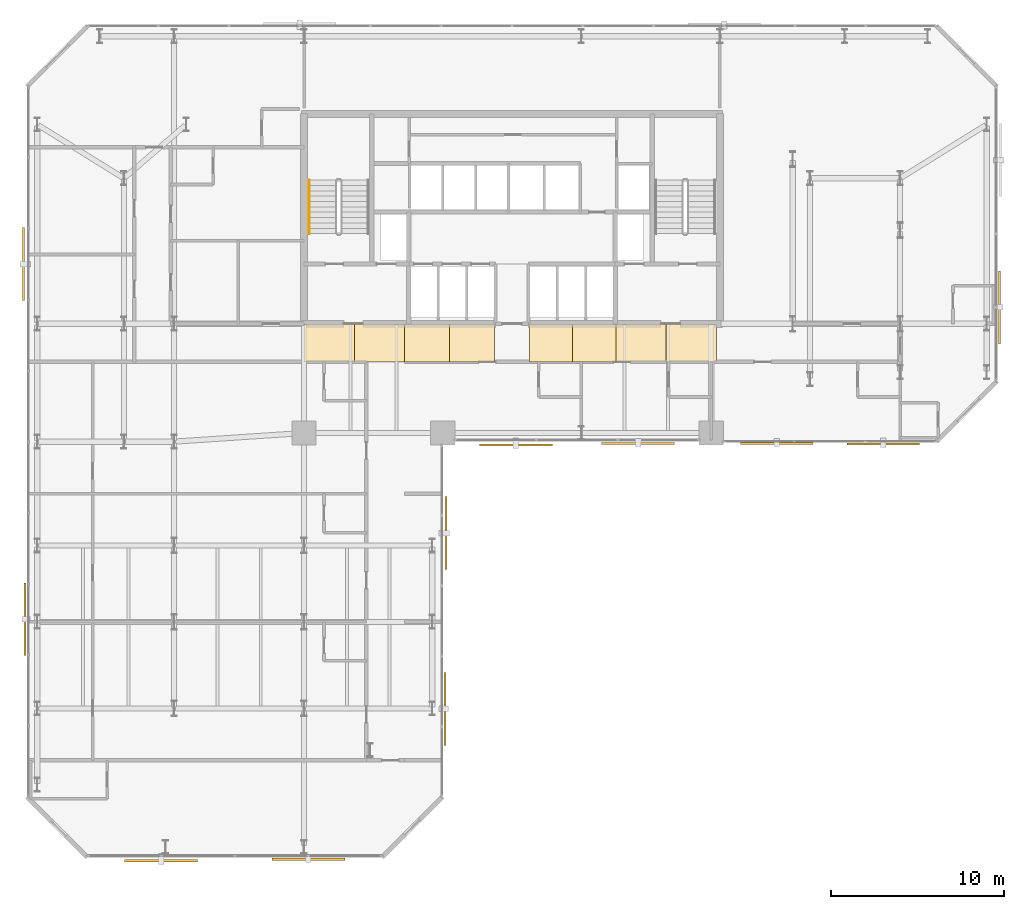
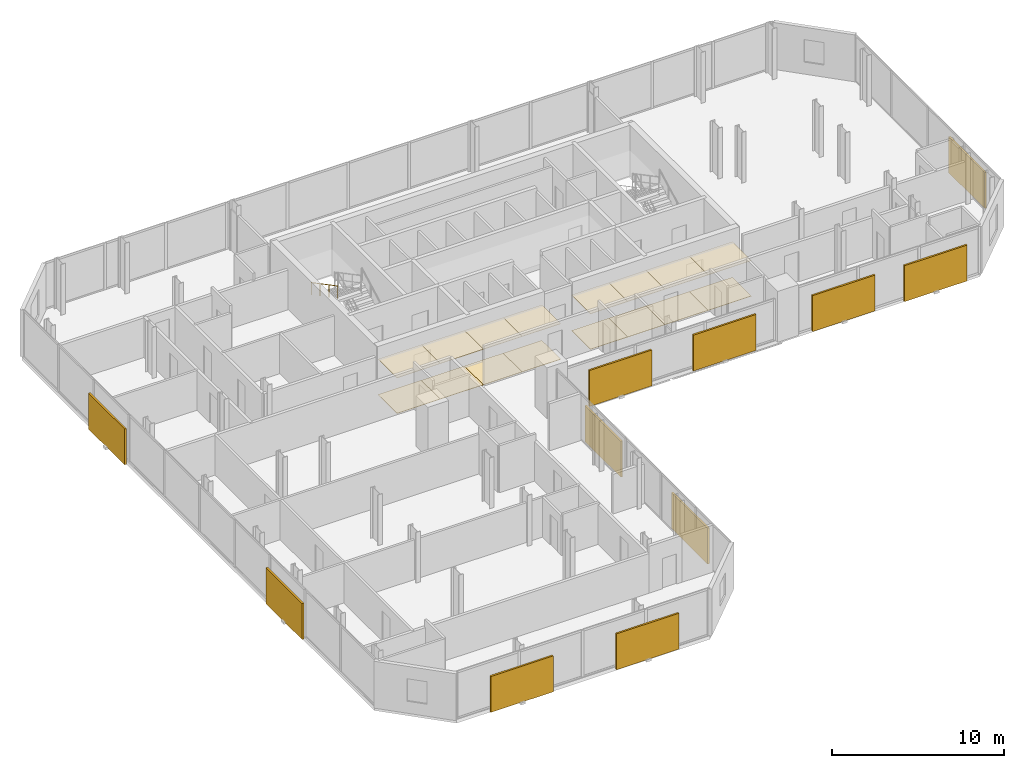
# One storey, part 32 of 33: 16 coverings, 11 shading devices, 1 railing.
"""IFC4 building model written with IfcOpenShell, lengths in metres."""

from ifc_helpers import new_model, si_unit, direction, frame, origin, origin_2d, place, context, subcontext, project, spatial, polyline, rectangle, circle, outline, extrude, material, layer, layer_set, type_object, element, save


model = new_model("IFC4")

# Units and contexts
model_context = context("Model", 3, precision=1e-05, world=origin(), true_north=direction((0.0, 1.0)))
body_context = subcontext(model_context, "Body", "Model", "MODEL_VIEW")
ifc_project = project(units=[si_unit("LENGTHUNIT", "METRE"), si_unit("AREAUNIT", "SQUARE_METRE"), si_unit("VOLUMEUNIT", "CUBIC_METRE"), si_unit("PLANEANGLEUNIT", "RADIAN"), si_unit("MASSUNIT", "GRAM", prefix="KILO")], contexts=[model_context])

# Site, building, storey
site_placement = place(None, origin())
site = spatial("IfcSite", under=ifc_project, at=site_placement, CompositionType="ELEMENT")
building_placement = place(site_placement, origin())
building = spatial("IfcBuilding", under=site, at=building_placement, Name="Catumbela Crestline Tower", CompositionType="ELEMENT")
storey_placement = place(building_placement, frame((0.0, 0.0, 47.4)))
storey = spatial("IfcBuildingStorey", under=building, at=storey_placement, Name="L11", CompositionType="ELEMENT", Elevation=47.4)

# Coverings
ifc_material_1 = material(Name="Mineral-fibre acoustic ceiling")
ifc_layer_1 = layer(ifc_material_1, 0.03, Name="Mineral-fibre acoustic ceiling")
ifc_layer_set_1 = layer_set([ifc_layer_1], Name="Mineral-fibre acoustic ceiling")
covering_type_1 = type_object("IfcCoveringType", Name="CC-AC", PredefinedType="CEILING", material=ifc_layer_set_1)
covering_1_placement = place(storey_placement, frame((0.0, 0.0, 2.52)))
element("IfcCovering", 1, at=covering_1_placement, inside=storey, type_object=covering_type_1, Name="L11 Corridor Acoustic Ceiling Bay 1", PredefinedType="CEILING", context=body_context, shape_type="SweptSolid", body=[
    extrude(outline(polyline([(16.0, 28.6), (18.9, 28.6), (18.9, 30.8), (16.0, 30.8), (16.0, 28.6)])), origin(), (0.0, 0.0, 1.0), 0.03),
])
covering_2_placement = place(storey_placement, frame((0.0, 0.0, 2.52)))
element("IfcCovering", 2, at=covering_2_placement, inside=storey, type_object=covering_type_1, Name="L11 Corridor Acoustic Ceiling Bay 2", PredefinedType="CEILING", context=body_context, shape_type="SweptSolid", body=[
    extrude(outline(polyline([(18.9, 28.6), (21.8, 28.6), (21.8, 30.8), (18.9, 30.8), (18.9, 28.6)])), origin(), (0.0, 0.0, 1.0), 0.03),
])
covering_3_placement = place(storey_placement, frame((0.0, 0.0, 2.52)))
element("IfcCovering", 3, at=covering_3_placement, inside=storey, type_object=covering_type_1, Name="L11 Corridor Acoustic Ceiling Bay 3", PredefinedType="CEILING", context=body_context, shape_type="SweptSolid", body=[
    extrude(outline(polyline([(21.8, 28.6), (24.4, 28.6), (24.4, 30.8), (21.8, 30.8), (21.8, 28.6)])), origin(), (0.0, 0.0, 1.0), 0.03),
])
covering_4_placement = place(storey_placement, frame((0.0, 0.0, 2.52)))
element("IfcCovering", 4, at=covering_4_placement, inside=storey, type_object=covering_type_1, Name="L11 Corridor Acoustic Ceiling Bay 4", PredefinedType="CEILING", context=body_context, shape_type="SweptSolid", body=[
    extrude(outline(polyline([(24.4, 28.6), (27.0, 28.6), (27.0, 30.8), (24.4, 30.8), (24.4, 28.6)])), origin(), (0.0, 0.0, 1.0), 0.03),
])
covering_5_placement = place(storey_placement, frame((0.0, 0.0, 2.52)))
element("IfcCovering", 5, at=covering_5_placement, inside=storey, type_object=covering_type_1, Name="L11 Corridor Acoustic Ceiling Bay 5", PredefinedType="CEILING", context=body_context, shape_type="SweptSolid", body=[
    extrude(outline(polyline([(29.0, 28.6), (31.5, 28.6), (31.5, 30.8), (29.0, 30.8), (29.0, 28.6)])), origin(), (0.0, 0.0, 1.0), 0.03),
])
covering_6_placement = place(storey_placement, frame((0.0, 0.0, 2.52)))
element("IfcCovering", 6, at=covering_6_placement, inside=storey, type_object=covering_type_1, Name="L11 Corridor Acoustic Ceiling Bay 6", PredefinedType="CEILING", context=body_context, shape_type="SweptSolid", body=[
    extrude(outline(polyline([(31.5, 28.6), (34.0, 28.6), (34.0, 30.8), (31.5, 30.8), (31.5, 28.6)])), origin(), (0.0, 0.0, 1.0), 0.03),
])
covering_7_placement = place(storey_placement, frame((0.0, 0.0, 2.52)))
element("IfcCovering", 7, at=covering_7_placement, inside=storey, type_object=covering_type_1, Name="L11 Corridor Acoustic Ceiling Bay 7", PredefinedType="CEILING", context=body_context, shape_type="SweptSolid", body=[
    extrude(outline(polyline([(34.0, 28.6), (36.9, 28.6), (36.9, 30.8), (34.0, 30.8), (34.0, 28.6)])), origin(), (0.0, 0.0, 1.0), 0.03),
])
covering_8_placement = place(storey_placement, frame((0.0, 0.0, 2.52)))
element("IfcCovering", 8, at=covering_8_placement, inside=storey, type_object=covering_type_1, Name="L11 Corridor Acoustic Ceiling Bay 8", PredefinedType="CEILING", context=body_context, shape_type="SweptSolid", body=[
    extrude(outline(polyline([(36.9, 28.6), (39.8, 28.6), (39.8, 30.8), (36.9, 30.8), (36.9, 28.6)])), origin(), (0.0, 0.0, 1.0), 0.03),
])
ifc_material_2 = material(Name="Angolan grey-ochre granite", Category="masonry")
ifc_layer_2 = layer(ifc_material_2, 0.025, Name="Angolan grey-ochre granite")
ifc_layer_set_2 = layer_set([ifc_layer_2], Name="Angolan grey-ochre granite")
covering_type_2 = type_object("IfcCoveringType", Name="CF-GR", PredefinedType="FLOORING", material=ifc_layer_set_2)
covering_9_placement = place(storey_placement, origin())
element("IfcCovering", 9, at=covering_9_placement, inside=storey, type_object=covering_type_2, Name="L11 Corridor Granite Flooring Bay 1", PredefinedType="FLOORING", context=body_context, shape_type="SweptSolid", body=[
    extrude(outline(polyline([(16.0, 28.6), (18.9, 28.6), (18.9, 30.8), (16.0, 30.8), (16.0, 28.6)])), origin(), (0.0, 0.0, 1.0), 0.025),
])
covering_10_placement = place(storey_placement, origin())
element("IfcCovering", 10, at=covering_10_placement, inside=storey, type_object=covering_type_2, Name="L11 Corridor Granite Flooring Bay 2", PredefinedType="FLOORING", context=body_context, shape_type="SweptSolid", body=[
    extrude(outline(polyline([(18.9, 28.6), (21.8, 28.6), (21.8, 30.8), (18.9, 30.8), (18.9, 28.6)])), origin(), (0.0, 0.0, 1.0), 0.025),
])
covering_11_placement = place(storey_placement, origin())
element("IfcCovering", 11, at=covering_11_placement, inside=storey, type_object=covering_type_2, Name="L11 Corridor Granite Flooring Bay 3", PredefinedType="FLOORING", context=body_context, shape_type="SweptSolid", body=[
    extrude(outline(polyline([(21.8, 28.6), (24.4, 28.6), (24.4, 30.8), (21.8, 30.8), (21.8, 28.6)])), origin(), (0.0, 0.0, 1.0), 0.025),
])
covering_12_placement = place(storey_placement, origin())
element("IfcCovering", 12, at=covering_12_placement, inside=storey, type_object=covering_type_2, Name="L11 Corridor Granite Flooring Bay 4", PredefinedType="FLOORING", context=body_context, shape_type="SweptSolid", body=[
    extrude(outline(polyline([(24.4, 28.6), (27.0, 28.6), (27.0, 30.8), (24.4, 30.8), (24.4, 28.6)])), origin(), (0.0, 0.0, 1.0), 0.025),
])
covering_13_placement = place(storey_placement, origin())
element("IfcCovering", 13, at=covering_13_placement, inside=storey, type_object=covering_type_2, Name="L11 Corridor Granite Flooring Bay 5", PredefinedType="FLOORING", context=body_context, shape_type="SweptSolid", body=[
    extrude(outline(polyline([(29.0, 28.6), (31.5, 28.6), (31.5, 30.8), (29.0, 30.8), (29.0, 28.6)])), origin(), (0.0, 0.0, 1.0), 0.025),
])
covering_14_placement = place(storey_placement, origin())
element("IfcCovering", 14, at=covering_14_placement, inside=storey, type_object=covering_type_2, Name="L11 Corridor Granite Flooring Bay 6", PredefinedType="FLOORING", context=body_context, shape_type="SweptSolid", body=[
    extrude(outline(polyline([(31.5, 28.6), (34.0, 28.6), (34.0, 30.8), (31.5, 30.8), (31.5, 28.6)])), origin(), (0.0, 0.0, 1.0), 0.025),
])
covering_15_placement = place(storey_placement, origin())
element("IfcCovering", 15, at=covering_15_placement, inside=storey, type_object=covering_type_2, Name="L11 Corridor Granite Flooring Bay 7", PredefinedType="FLOORING", context=body_context, shape_type="SweptSolid", body=[
    extrude(outline(polyline([(34.0, 28.6), (36.9, 28.6), (36.9, 30.8), (34.0, 30.8), (34.0, 28.6)])), origin(), (0.0, 0.0, 1.0), 0.025),
])
covering_16_placement = place(storey_placement, origin())
element("IfcCovering", 16, at=covering_16_placement, inside=storey, type_object=covering_type_2, Name="L11 Corridor Granite Flooring Bay 8", PredefinedType="FLOORING", context=body_context, shape_type="SweptSolid", body=[
    extrude(outline(polyline([(36.9, 28.6), (39.8, 28.6), (39.8, 30.8), (36.9, 30.8), (36.9, 28.6)])), origin(), (0.0, 0.0, 1.0), 0.025),
])

# Railing
ifc_material_3 = material(Name="Stainless steel EN 1.4401", Category="steel")
railing_type = type_object("IfcRailingType", Name="RH-0900", PredefinedType="HANDRAIL", material=ifc_material_3)
railing_placement = place(storey_placement, frame((16.3, 39.1, 1.9636)))
element("IfcRailing", 17, at=railing_placement, inside=storey, type_object=railing_type, Name="L11 ST-01 stair handrail 2", PredefinedType="HANDRAIL", context=body_context, shape_type="SweptSolid", body=[
    extrude(circle(Radius=0.024, at=origin_2d()), frame((0.0, 0.0, 0.876), z_axis=(0.0, -0.884350731049, 0.466823076222), x_axis=(1.0, 0.0, 0.0)), (0.0, 0.0, 1.0), 3.5054),
    extrude(circle(Radius=0.021, at=origin_2d()), origin(), (0.0, 0.0, 1.0), 0.852),
    extrude(circle(Radius=0.021, at=origin_2d()), frame((0.0, -1.0333, 0.5455)), (0.0, 0.0, 1.0), 0.852),
    extrude(circle(Radius=0.021, at=origin_2d()), frame((0.0, -2.0667, 1.0909)), (0.0, 0.0, 1.0), 0.852),
    extrude(circle(Radius=0.021, at=origin_2d()), frame((0.0, -3.1, 1.6364)), (0.0, 0.0, 1.0), 0.852),
])

# Shading devices
ifc_material_4 = material(Name="Extruded terracotta ceramic", Category="masonry")
shading_device_type_1 = type_object("IfcShadingDeviceType", Name="ST-180", PredefinedType="USERDEFINED", material=ifc_material_4)
for number, where, z_axis, x_axis, name in (
    (18, (16.25, -0.099, -0.1), (0.0, 0.0, 1.0), (1.0, 0.0, 0.0), "L11 Perforated Terracotta Solar Screen 86 (180 mm)"),
    (19, (35.275, 23.901, -0.1), (0.0, 0.0, 1.0), (1.0, 0.0, 0.0), "L11 Perforated Terracotta Solar Screen 90 (180 mm)"),
    (20, (43.275, 23.901, -0.1), (0.0, 0.0, 1.0), (1.0, 0.0, 0.0), "L11 Perforated Terracotta Solar Screen 91 (180 mm)"),
    (21, (-0.099, 13.75, -0.1), (0.0, 0.0, 1.0), (0.0, -1.0, 0.0), "L11 Perforated Terracotta Solar Screen 98 (180 mm)"),
):
    element("IfcShadingDevice", number, at=place(storey_placement, frame(where, z_axis=z_axis, x_axis=x_axis)), inside=storey, type_object=shading_device_type_1, Name=name, ObjectType="SCREEN", PredefinedType="USERDEFINED", context=body_context, shape_type="SweptSolid", body=[
        extrude(rectangle(XDim=4.2, YDim=0.12, at=origin_2d()), origin(), (0.0, 0.0, 1.0), 2.55),
    ])
shading_device_type_2 = type_object("IfcShadingDeviceType", Name="ST-260", PredefinedType="USERDEFINED", material=ifc_material_4)
for number, where, z_axis, x_axis, name in (
    (22, (24.143, 8.575, -0.1), (0.0, 0.0, 1.0), (0.0, 1.0, 0.0), "L11 Perforated Terracotta Solar Screen 87 (260 mm)"),
    (23, (49.425, 23.857, -0.1), (0.0, 0.0, 1.0), (1.0, 0.0, 0.0), "L11 Perforated Terracotta Solar Screen 92 (260 mm)"),
    (24, (56.143, 31.75, -0.1), (0.0, 0.0, 1.0), (0.0, 1.0, 0.0), "L11 Perforated Terracotta Solar Screen 93 (260 mm)"),
):
    element("IfcShadingDevice", number, at=place(storey_placement, frame(where, z_axis=z_axis, x_axis=x_axis)), inside=storey, type_object=shading_device_type_2, Name=name, ObjectType="SCREEN", PredefinedType="USERDEFINED", context=body_context, shape_type="SweptSolid", body=[
        extrude(rectangle(XDim=4.2, YDim=0.12, at=origin_2d()), origin(), (0.0, 0.0, 1.0), 2.55),
    ])
shading_device_type_3 = type_object("IfcShadingDeviceType", Name="ST-340", PredefinedType="USERDEFINED", material=ifc_material_4)
for number, where, z_axis, x_axis, name in (
    (25, (7.75, -0.187, -0.1), (0.0, 0.0, 1.0), (1.0, 0.0, 0.0), "L11 Perforated Terracotta Solar Screen 85 (340 mm)"),
    (26, (24.187, 18.725, -0.1), (0.0, 0.0, 1.0), (0.0, 1.0, 0.0), "L11 Perforated Terracotta Solar Screen 88 (340 mm)"),
    (27, (28.225, 23.813, -0.1), (0.0, 0.0, 1.0), (1.0, 0.0, 0.0), "L11 Perforated Terracotta Solar Screen 89 (340 mm)"),
    (28, (-0.187, 34.25, -0.1), (0.0, 0.0, 1.0), (0.0, -1.0, 0.0), "L11 Perforated Terracotta Solar Screen 97 (340 mm)"),
):
    element("IfcShadingDevice", number, at=place(storey_placement, frame(where, z_axis=z_axis, x_axis=x_axis)), inside=storey, type_object=shading_device_type_3, Name=name, ObjectType="SCREEN", PredefinedType="USERDEFINED", context=body_context, shape_type="SweptSolid", body=[
        extrude(rectangle(XDim=4.2, YDim=0.12, at=origin_2d()), origin(), (0.0, 0.0, 1.0), 2.55),
    ])

save(model, "model.ifc")
